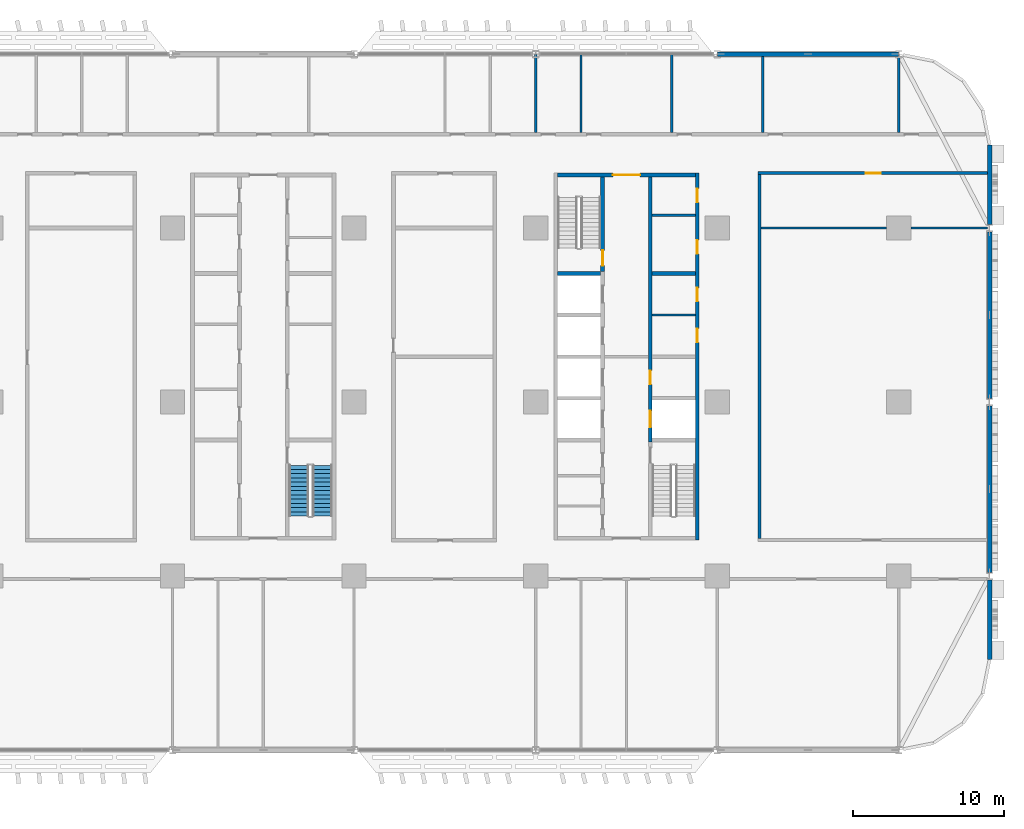
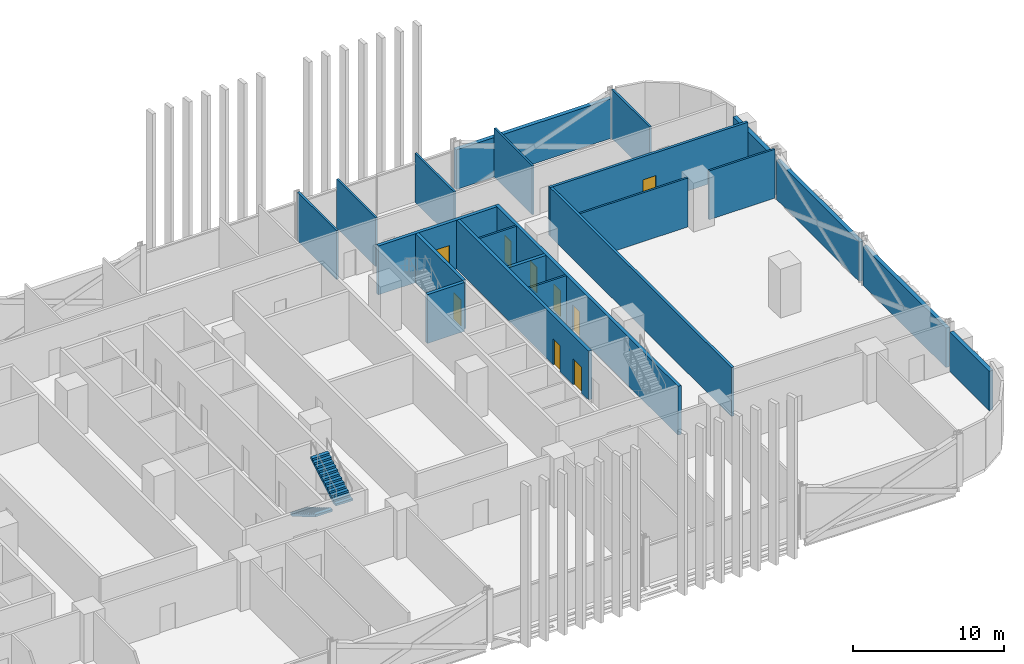
# One storey, part 15 of 29: 22 walls, 9 doors, 2 stair flights, 9 openings, 1 element without a shape of its own.
"""IFC4 building model written with IfcOpenShell, lengths in metres."""

import ifcopenshell
import ifcopenshell.guid

model = None  # the IFC model being written
_history = None  # IfcOwnerHistory: only IFC2X3 demands one
_inside = {}  # id of a spatial element -> (the spatial element, [elements in it])
_under = {}  # id of a project, library or spatial element -> (it, [spatial elements below it])
_declared = {}  # id of a project -> (the project, [libraries it declares])
_typed = {}  # id of a type object -> (the type object, [elements of that type])
_made_of = {}  # id of a material, layer set ... -> (it, [elements and type objects made of it])


def new_model(schema):
    """Start an empty IFC model of exactly this schema.

    Asked for "IFC4X3", IfcOpenShell would pick the latest addendum, in which some entities
    have other attributes; the version numbers below select the first issue.
    IFC2X3 requires an IfcOwnerHistory on every rooted entity: one is made here for all.
    """
    global model, _history
    if schema == "IFC4X3":
        model = ifcopenshell.file(schema_version=(4, 3, 0, 0))
    else:
        model = ifcopenshell.file(schema=schema)
    _inside.clear()
    _under.clear()
    _declared.clear()
    _typed.clear()
    _made_of.clear()
    _history = None
    if model.schema == "IFC2X3":
        org = make("IfcOrganization", Name="unknown")
        user = make(
            "IfcPersonAndOrganization",
            ThePerson=make("IfcPerson", FamilyName="unknown"),
            TheOrganization=org,
        )
        app = make(
            "IfcApplication",
            ApplicationDeveloper=org,
            Version="unknown",
            ApplicationFullName="unknown",
            ApplicationIdentifier="unknown",
        )
        _history = make(
            "IfcOwnerHistory",
            OwningUser=user,
            OwningApplication=app,
            ChangeAction="ADDED",
            CreationDate=0,
        )
    return model


def make(cls, **values):
    """One entity of the class cls with the attributes given. An attribute that is None is left unset."""
    return model.create_entity(
        cls, **{name: value for name, value in values.items() if value is not None}
    )


def rooted(cls, **values):
    """An entity with a GlobalId (a new one), such as an element, a storey or a relation."""
    return make(cls, GlobalId=ifcopenshell.guid.new(), OwnerHistory=_history, **values)


def si_unit(unit_type, name, prefix=None):
    """IfcSIUnit, for example si_unit("LENGTHUNIT", "METRE", prefix="MILLI")."""
    return make("IfcSIUnit", UnitType=unit_type, Prefix=prefix, Name=name)


def assignment(units):
    """IfcUnitAssignment: the units of a project."""
    return None if units is None else make("IfcUnitAssignment", Units=units)


def point(xyz):
    """IfcCartesianPoint."""
    return None if xyz is None else make("IfcCartesianPoint", Coordinates=xyz)


def direction(xyz):
    """IfcDirection."""
    return None if xyz is None else make("IfcDirection", DirectionRatios=xyz)


def frame(location, z_axis=None, x_axis=None):
    """IfcAxis2Placement3D, a coordinate frame: its origin and axes. An axis left out is left unset."""
    return make(
        "IfcAxis2Placement3D",
        Location=point(location),
        Axis=direction(z_axis),
        RefDirection=direction(x_axis),
    )


def frame_2d(location, x_axis=None):
    """IfcAxis2Placement2D, a coordinate frame in the plane: its origin and x axis."""
    return make(
        "IfcAxis2Placement2D", Location=point(location), RefDirection=direction(x_axis)
    )


def origin():
    """The frame at (0, 0, 0) with its axes left unset."""
    return frame((0.0, 0.0, 0.0))


def place(relative_to, where):
    """IfcLocalPlacement: puts the frame where relative to a parent placement (None: the world)."""
    return make(
        "IfcLocalPlacement", PlacementRelTo=relative_to, RelativePlacement=where
    )


def context(
    kind, dimensions, precision=None, world=None, true_north=None, identifier=None
):
    """IfcGeometricRepresentationContext, for example the 3D "Model" context."""
    return make(
        "IfcGeometricRepresentationContext",
        ContextIdentifier=identifier,
        ContextType=kind,
        CoordinateSpaceDimension=dimensions,
        Precision=precision,
        WorldCoordinateSystem=world,
        TrueNorth=true_north,
    )


def subcontext(parent, identifier, kind, view, scale=None):
    """IfcGeometricRepresentationSubContext, for example "Body" below "Model"."""
    return make(
        "IfcGeometricRepresentationSubContext",
        ContextIdentifier=identifier,
        ContextType=kind,
        ParentContext=parent,
        TargetScale=scale,
        TargetView=view,
    )


def project(units=None, contexts=None):
    """IfcProject with its units and contexts."""
    return rooted(
        "IfcProject",
        Name="project",
        RepresentationContexts=contexts,
        UnitsInContext=assignment(units),
    )


def spatial(cls, under=None, at=None, **own):
    """A site, building, storey or space (cls), placed at a placement, below another one or the project."""
    s = rooted(cls, ObjectPlacement=at, **own)
    if under is not None:
        _under.setdefault(under.id(), (under, []))[1].append(s)
    return s


def polyline(points):
    """IfcPolyline through the points."""
    return make("IfcPolyline", Points=[point(p) for p in points])


def profile(cls, at=None, kind="AREA", **sizes):
    """A parametric profile (cls). Its sizes go by their IFC names, for example OverallWidth=200.0."""
    return make(cls, ProfileType=kind, Position=at, **sizes)


def rectangle(**sizes):
    """IfcRectangleProfileDef."""
    return profile("IfcRectangleProfileDef", **sizes)


def outline(outer, holes=None, kind="AREA"):
    """IfcArbitraryClosedProfileDef: a profile drawn as a closed curve; with holes, ...WithVoids."""
    if holes is None:
        return make("IfcArbitraryClosedProfileDef", ProfileType=kind, OuterCurve=outer)
    return make(
        "IfcArbitraryProfileDefWithVoids",
        ProfileType=kind,
        OuterCurve=outer,
        InnerCurves=holes,
    )


def extrude(swept, where, along, depth):
    """IfcExtrudedAreaSolid: the profile swept, set in the frame where, extruded along a direction by depth."""
    return make(
        "IfcExtrudedAreaSolid",
        SweptArea=swept,
        Position=where,
        ExtrudedDirection=direction(along),
        Depth=depth,
    )


def shape(context_of_items, identifier, shape_type, items):
    """IfcShapeRepresentation: the items that make up one representation, for example the "Body"."""
    return make(
        "IfcShapeRepresentation",
        ContextOfItems=context_of_items,
        RepresentationIdentifier=identifier,
        RepresentationType=shape_type,
        Items=items,
    )


def material(Name=None, Category=None):
    """IfcMaterial."""
    return make("IfcMaterial", Name=Name, Category=Category)


def layer(
    of_material, thickness, ventilated=None, Name=None, Category=None, Priority=None
):
    """IfcMaterialLayer: one layer of a wall or slab, of a material (None: an air gap)."""
    return make(
        "IfcMaterialLayer",
        Material=of_material,
        LayerThickness=thickness,
        IsVentilated=ventilated,
        Name=Name,
        Category=Category,
        Priority=Priority,
    )


def layer_set(layers, Name=None):
    """IfcMaterialLayerSet."""
    return make("IfcMaterialLayerSet", MaterialLayers=layers, LayerSetName=Name)


def made_of(thing, what):
    """Note that an element or type object is made of a material, layer set ...; save() writes the relation."""
    if what is not None:
        _made_of.setdefault(what.id(), (what, []))[1].append(thing)
    return thing


def type_object(cls, material=None, **own):
    """A type object (cls), such as IfcWallType, which elements share."""
    return made_of(rooted(cls, **own), material)


def element(
    cls,
    number,
    at=None,
    inside=None,
    cuts=None,
    type_object=None,
    material=None,
    context=None,
    identifier="Body",
    shape_type=None,
    held_by="IfcProductDefinitionShape",
    body=None,
    shapes=None,
    **own,
):
    """One element of the class cls, such as IfcWall. Its Tag is "e" and its number.

    at: its placement. inside: the storey or other place that contains it. cuts: it is an
    opening in that element (IfcRelVoidsElement). A single representation is given by context,
    identifier, shape_type and body (its items); several are given by shapes. held_by: the class
    of the entity that holds the representations. save() writes the other relations.
    """
    e = rooted(cls, Tag="e%d" % number, ObjectPlacement=at, **own)
    if body is not None:
        shapes = [shape(context, identifier, shape_type, body)]
    if shapes is not None:
        e.Representation = make(held_by, Representations=shapes)
    if inside is not None:
        _inside.setdefault(inside.id(), (inside, []))[1].append(e)
    if cuts is not None:
        rooted(
            "IfcRelVoidsElement", RelatingBuildingElement=cuts, RelatedOpeningElement=e
        )
    if type_object is not None:
        _typed.setdefault(type_object.id(), (type_object, []))[1].append(e)
    return made_of(e, material)


def fill(opening, filler):
    """IfcRelFillsElement: the door or window that sits in an opening."""
    return rooted(
        "IfcRelFillsElement",
        RelatingOpeningElement=opening,
        RelatedBuildingElement=filler,
    )


def aggregate(whole, parts):
    """IfcRelAggregates: a whole, such as a stair, and the parts it consists of."""
    return rooted("IfcRelAggregates", RelatingObject=whole, RelatedObjects=parts)


def save(model, path):
    """Write the relations noted so far, then the file.

    IfcRelAggregates (storeys below a building ...), IfcRelContainedInSpatialStructure (elements
    in a storey), IfcRelDefinesByType, IfcRelAssociatesMaterial and IfcRelDeclares: one each for
    every whole, place, type object, material and project.
    """
    for whole, parts in _under.values():
        aggregate(whole, parts)
    for where, things in _inside.values():
        rooted(
            "IfcRelContainedInSpatialStructure",
            RelatedElements=things,
            RelatingStructure=where,
        )
    for kind, things in _typed.values():
        rooted("IfcRelDefinesByType", RelatedObjects=things, RelatingType=kind)
    for what, things in _made_of.values():
        rooted("IfcRelAssociatesMaterial", RelatedObjects=things, RelatingMaterial=what)
    for by, libraries in _declared.values():
        rooted("IfcRelDeclares", RelatingContext=by, RelatedDefinitions=libraries)
    model.write(path)


model = new_model("IFC4")

# Units and contexts
model_context = context("Model", 3, precision=1e-05, world=origin(), true_north=direction((0.0, 1.0)))
body_context = subcontext(model_context, "Body", "Model", "MODEL_VIEW")
ifc_project = project(units=[si_unit("LENGTHUNIT", "METRE"), si_unit("AREAUNIT", "SQUARE_METRE"), si_unit("VOLUMEUNIT", "CUBIC_METRE"), si_unit("PLANEANGLEUNIT", "RADIAN"), si_unit("MASSUNIT", "GRAM", prefix="KILO")], contexts=[model_context])

# Site, building, storey
site_placement = place(None, origin())
site = spatial("IfcSite", under=ifc_project, at=site_placement, CompositionType="ELEMENT")
building_placement = place(site_placement, origin())
building = spatial("IfcBuilding", under=site, at=building_placement, Name="Mahtab Terrace Research Tower", CompositionType="ELEMENT")
storey_placement = place(building_placement, frame((0.0, 0.0, 24.39990234375)))
storey = spatial("IfcBuildingStorey", under=building, at=storey_placement, Name="L05", CompositionType="ELEMENT", Elevation=24.39990234375)

# Walls
ifc_material_1 = material(Name="Gypsum board partition")
ifc_layer_1 = layer(ifc_material_1, 0.14990234375)
ifc_layer_set_1 = layer_set([ifc_layer_1], Name="Core partition 150")
wall_type_1 = type_object("IfcWallType", Name="Core partition 150", PredefinedType="PARTITIONING", material=ifc_layer_set_1)
for number, where, z_axis, x_axis, name in (
    (1, (25.699951171875, 5.75, 0.0), (0.0, 0.0, 1.0), (1.0, 0.0, 0.0), "Core wall C pEL275"),
    (2, (25.699951171875, 12.35498046875, 0.0), (0.0, 0.0, 1.0), (1.0, 0.0, 0.0), "Core wall C pEN936"),
):
    element("IfcWall", number, at=place(storey_placement, frame(where, z_axis=z_axis, x_axis=x_axis)), inside=storey, type_object=wall_type_1, Name=name, PredefinedType="PARTITIONING", context=body_context, shape_type="SweptSolid", body=[
        extrude(rectangle(XDim=2.85009765625, YDim=0.14990234375, at=frame_2d((1.425048828125, 0.0))), origin(), (0.0, 0.0, 1.0), 3.960205078125),
    ])

# Wall, openings, doors
ifc_material_2 = material(Name="Concrete C70/85", Category="concrete")
ifc_layer_2 = layer(ifc_material_2, 0.25)
ifc_layer_set_2 = layer_set([ifc_layer_2], Name="Core wall 250")
wall_type_2 = type_object("IfcWallType", Name="Core wall 250", PredefinedType="SOLIDWALL", material=ifc_layer_set_2)
wall_1_placement = place(storey_placement, frame((28.675048828125, -9.125, 0.0), z_axis=(0.0, 0.0, 1.0), x_axis=(0.0, 1.0, 0.0)))
wall_1 = element("IfcWall", 3, at=wall_1_placement, inside=storey, type_object=wall_type_2, Name="Core wall C outerE", PredefinedType="SOLIDWALL", context=body_context, shape_type="SweptSolid", body=[
    extrude(rectangle(XDim=24.25, YDim=0.25, at=frame_2d((12.125, 0.0))), origin(), (0.0, 0.0, 1.0), 3.960205078125),
])
opening_1_placement = place(wall_1_placement, frame((13.074951171875, 0.0, 0.0)))
opening_1 = element("IfcOpeningElement", 4, at=opening_1_placement, cuts=wall_1, Name="Opening C-R2", PredefinedType="OPENING", context=body_context, shape_type="SweptSolid", body=[
    extrude(rectangle(XDim=0.89990234375, YDim=2.10009765625, at=frame_2d((0.449951171875, 1.050048828125))), frame((0.0, 0.135009765625, 0.0), z_axis=(0.0, -1.0, 0.0), x_axis=(1.0, 0.0, 0.0)), (0.0, 0.0, 1.0), 0.27001953125),
])
opening_2_placement = place(wall_1_placement, frame((15.77490234375, 0.0, 0.0)))
opening_2 = element("IfcOpeningElement", 5, at=opening_2_placement, cuts=wall_1, Name="Opening C-R3", PredefinedType="OPENING", context=body_context, shape_type="SweptSolid", body=[
    extrude(rectangle(XDim=0.89990234375, YDim=2.10009765625, at=frame_2d((0.449951171875, 1.050048828125))), frame((0.0, 0.135009765625, 0.0), z_axis=(0.0, -1.0, 0.0), x_axis=(1.0, 0.0, 0.0)), (0.0, 0.0, 1.0), 0.27001953125),
])
opening_3_placement = place(wall_1_placement, frame((18.925048828125, 0.0, 0.0)))
opening_3 = element("IfcOpeningElement", 6, at=opening_3_placement, cuts=wall_1, Name="Opening C-R7", PredefinedType="OPENING", context=body_context, shape_type="SweptSolid", body=[
    extrude(rectangle(XDim=0.89990234375, YDim=2.10009765625, at=frame_2d((0.449951171875, 1.050048828125))), frame((0.0, 0.135009765625, 0.0), z_axis=(0.0, -1.0, 0.0), x_axis=(1.0, 0.0, 0.0)), (0.0, 0.0, 1.0), 0.27001953125),
])
opening_4_placement = place(wall_1_placement, frame((22.327392578125, 0.0, 0.0)))
opening_4 = element("IfcOpeningElement", 7, at=opening_4_placement, cuts=wall_1, Name="Opening C-R8", PredefinedType="OPENING", context=body_context, shape_type="SweptSolid", body=[
    extrude(rectangle(XDim=0.89990234375, YDim=2.10009765625, at=frame_2d((0.449951171875, 1.050048828125))), frame((0.0, 0.135009765625, 0.0), z_axis=(0.0, -1.0, 0.0), x_axis=(1.0, 0.0, 0.0)), (0.0, 0.0, 1.0), 0.27001953125),
])
ifc_material_3 = material(Name="Steel fire door", Category="steel")
door_type_1 = type_object("IfcDoorType", Name="Room door 900x2100 1 HR", OperationType="NOTDEFINED", PredefinedType="DOOR", material=ifc_material_3)
door_1_placement = place(opening_1_placement, origin())
door_1 = element("IfcDoor", 8, at=door_1_placement, inside=storey, type_object=door_type_1, Name="Document store door", OperationType="SINGLE_SWING_RIGHT", OverallHeight=2.10009765625, OverallWidth=0.89990234375, PredefinedType="DOOR", context=body_context, shape_type="SweptSolid", body=[
    extrude(rectangle(XDim=0.89990234375, YDim=2.10009765625, at=frame_2d((0.449951171875, 1.050048828125))), frame((0.0, 0.02490234375, 0.0), z_axis=(0.0, -1.0, 0.0), x_axis=(1.0, 0.0, 0.0)), (0.0, 0.0, 1.0), 0.050048828125),
])
fill(opening_1, door_1)
door_2_placement = place(opening_2_placement, origin())
door_2 = element("IfcDoor", 9, at=door_2_placement, inside=storey, type_object=door_type_1, Name="IT equipment room door", OperationType="SINGLE_SWING_LEFT", OverallHeight=2.10009765625, OverallWidth=0.89990234375, PredefinedType="DOOR", context=body_context, shape_type="SweptSolid", body=[
    extrude(rectangle(XDim=0.89990234375, YDim=2.10009765625, at=frame_2d((0.449951171875, 1.050048828125))), frame((0.0, 0.02490234375, 0.0), z_axis=(0.0, -1.0, 0.0), x_axis=(1.0, 0.0, 0.0)), (0.0, 0.0, 1.0), 0.050048828125),
])
fill(opening_2, door_2)
door_3_placement = place(opening_3_placement, origin())
door_3 = element("IfcDoor", 10, at=door_3_placement, inside=storey, type_object=door_type_1, Name="Pantry door", OperationType="SINGLE_SWING_LEFT", OverallHeight=2.10009765625, OverallWidth=0.89990234375, PredefinedType="DOOR", context=body_context, shape_type="SweptSolid", body=[
    extrude(rectangle(XDim=0.89990234375, YDim=2.10009765625, at=frame_2d((0.449951171875, 1.050048828125))), frame((0.0, 0.02490234375, 0.0), z_axis=(0.0, -1.0, 0.0), x_axis=(1.0, 0.0, 0.0)), (0.0, 0.0, 1.0), 0.050048828125),
])
fill(opening_3, door_3)
door_4_placement = place(opening_4_placement, origin())
door_4 = element("IfcDoor", 11, at=door_4_placement, inside=storey, type_object=door_type_1, Name="Linen store door", OperationType="SINGLE_SWING_RIGHT", OverallHeight=2.10009765625, OverallWidth=0.89990234375, PredefinedType="DOOR", context=body_context, shape_type="SweptSolid", body=[
    extrude(rectangle(XDim=0.89990234375, YDim=2.10009765625, at=frame_2d((0.449951171875, 1.050048828125))), frame((0.0, 0.02490234375, 0.0), z_axis=(0.0, -1.0, 0.0), x_axis=(1.0, 0.0, 0.0)), (0.0, 0.0, 1.0), 0.050048828125),
])
fill(opening_4, door_4)

# Wall, opening, door
wall_2_placement = place(storey_placement, frame((19.449951171875, 15.0, 0.0), z_axis=(0.0, 0.0, 1.0), x_axis=(1.0, 0.0, 0.0)))
wall_2 = element("IfcWall", 12, at=wall_2_placement, inside=storey, type_object=wall_type_2, Name="Core wall C endN", PredefinedType="SOLIDWALL", context=body_context, shape_type="SweptSolid", body=[
    extrude(rectangle(XDim=9.10009765625, YDim=0.25, at=frame_2d((4.550048828125, 0.0))), origin(), (0.0, 0.0, 1.0), 3.960205078125),
])
opening_5_placement = place(wall_2_placement, frame((3.64990234375, 0.0, 0.0)))
opening_5 = element("IfcOpeningElement", 13, at=opening_5_placement, cuts=wall_2, Name="Opening C-N1", PredefinedType="OPENING", context=body_context, shape_type="SweptSolid", body=[
    extrude(rectangle(XDim=1.800048828125, YDim=2.10009765625, at=frame_2d((0.89990234375, 1.050048828125))), frame((0.0, 0.135009765625, 0.0), z_axis=(0.0, -1.0, 0.0), x_axis=(1.0, 0.0, 0.0)), (0.0, 0.0, 1.0), 0.27001953125),
])
door_type_2 = type_object("IfcDoorType", Name="Lobby double door 1800x2100 1 HR", OperationType="DOUBLE_DOOR_SINGLE_SWING", PredefinedType="DOOR", material=ifc_material_3)
door_5_placement = place(opening_5_placement, origin())
door_5 = element("IfcDoor", 14, at=door_5_placement, inside=storey, type_object=door_type_2, Name="Core entrance door C N", OperationType="DOUBLE_DOOR_SINGLE_SWING", OverallHeight=2.10009765625, OverallWidth=1.800048828125, PredefinedType="DOOR", context=body_context, shape_type="SweptSolid", body=[
    extrude(rectangle(XDim=1.800048828125, YDim=2.10009765625, at=frame_2d((0.89990234375, 1.050048828125))), frame((0.0, 0.02490234375, 0.0), z_axis=(0.0, -1.0, 0.0), x_axis=(1.0, 0.0, 0.0)), (0.0, 0.0, 1.0), 0.050048828125),
])
fill(opening_5, door_5)

wall_3_placement = place(storey_placement, frame((22.425048828125, 14.875, 0.0), z_axis=(0.0, 0.0, 1.0), x_axis=(0.0, -1.0, 0.0)))
wall_3 = element("IfcWall", 15, at=wall_3_placement, inside=storey, type_object=wall_type_2, Name="Core wall C innerWN", PredefinedType="SOLIDWALL", context=body_context, shape_type="SweptSolid", body=[
    extrude(rectangle(XDim=6.25, YDim=0.25, at=frame_2d((3.125, 0.0))), origin(), (0.0, 0.0, 1.0), 3.960205078125),
])
opening_6_placement = place(wall_3_placement, frame((4.85009765625, 0.0, 0.0)))
opening_6 = element("IfcOpeningElement", 16, at=opening_6_placement, cuts=wall_3, Name="Opening C-ST3", PredefinedType="OPENING", context=body_context, shape_type="SweptSolid", body=[
    extrude(rectangle(XDim=1.0, YDim=2.10009765625, at=frame_2d((0.5, 1.050048828125))), frame((0.0, 0.135009765625, 0.0), z_axis=(0.0, -1.0, 0.0), x_axis=(1.0, 0.0, 0.0)), (0.0, 0.0, 1.0), 0.27001953125),
])
door_type_3 = type_object("IfcDoorType", Name="Stair door 1000x2100 1.5 HR", OperationType="NOTDEFINED", PredefinedType="DOOR", material=ifc_material_3)
door_6_placement = place(opening_6_placement, origin())
door_6 = element("IfcDoor", 17, at=door_6_placement, inside=storey, type_object=door_type_3, Name="Stair door ST3 L05", OperationType="SINGLE_SWING_LEFT", OverallHeight=2.10009765625, OverallWidth=1.0, PredefinedType="DOOR", context=body_context, shape_type="SweptSolid", body=[
    extrude(rectangle(XDim=1.0, YDim=2.10009765625, at=frame_2d((0.5, 1.050048828125))), frame((0.0, 0.02490234375, 0.0), z_axis=(0.0, -1.0, 0.0), x_axis=(1.0, 0.0, 0.0)), (0.0, 0.0, 1.0), 0.050048828125),
])
fill(opening_6, door_6)

# Wall, openings, doors
wall_4_placement = place(storey_placement, frame((25.574951171875, 14.875, 0.0), z_axis=(0.0, 0.0, 1.0), x_axis=(0.0, -1.0, 0.0)))
wall_4 = element("IfcWall", 18, at=wall_4_placement, inside=storey, type_object=wall_type_2, Name="Core wall C innerELN", PredefinedType="SOLIDWALL", context=body_context, shape_type="SweptSolid", body=[
    extrude(rectangle(XDim=17.5, YDim=0.25, at=frame_2d((8.75, 0.0))), origin(), (0.0, 0.0, 1.0), 3.960205078125),
])
opening_7_placement = place(wall_4_placement, frame((15.449951171875, 0.0, 0.0)))
opening_7 = element("IfcOpeningElement", 19, at=opening_7_placement, cuts=wall_4, Name="Opening LD21-L05", PredefinedType="OPENING", context=body_context, shape_type="SweptSolid", body=[
    extrude(rectangle(XDim=1.10009765625, YDim=2.10009765625, at=frame_2d((0.550048828125, 1.050048828125))), frame((0.0, 0.135009765625, 0.0), z_axis=(0.0, -1.0, 0.0), x_axis=(1.0, 0.0, 0.0)), (0.0, 0.0, 1.0), 0.27001953125),
])
opening_8_placement = place(wall_4_placement, frame((12.800048828125, 0.0, 0.0)))
opening_8 = element("IfcOpeningElement", 20, at=opening_8_placement, cuts=wall_4, Name="Opening C-R1", PredefinedType="OPENING", context=body_context, shape_type="SweptSolid", body=[
    extrude(rectangle(XDim=0.89990234375, YDim=2.10009765625, at=frame_2d((0.449951171875, 1.050048828125))), frame((0.0, 0.135009765625, 0.0), z_axis=(0.0, -1.0, 0.0), x_axis=(1.0, 0.0, 0.0)), (0.0, 0.0, 1.0), 0.27001953125),
])
ifc_material_4 = material(Name="Stainless steel AISI 304", Category="steel")
door_type_4 = type_object("IfcDoorType", Name="Landing door 1100x2100", OperationType="DOUBLE_DOOR_SLIDING", PredefinedType="DOOR", material=ifc_material_4)
door_7_placement = place(opening_7_placement, origin())
door_7 = element("IfcDoor", 21, at=door_7_placement, inside=storey, type_object=door_type_4, Name="Landing door SV3 L05", OperationType="DOUBLE_DOOR_SLIDING", OverallHeight=2.10009765625, OverallWidth=1.10009765625, PredefinedType="DOOR", context=body_context, shape_type="SweptSolid", body=[
    extrude(rectangle(XDim=1.10009765625, YDim=2.10009765625, at=frame_2d((0.550048828125, 1.050048828125))), frame((0.0, 0.02490234375, 0.0), z_axis=(0.0, -1.0, 0.0), x_axis=(1.0, 0.0, 0.0)), (0.0, 0.0, 1.0), 0.050048828125),
])
fill(opening_7, door_7)
door_8_placement = place(opening_8_placement, origin())
door_8 = element("IfcDoor", 22, at=door_8_placement, inside=storey, type_object=door_type_1, Name="Plant room door", OperationType="SINGLE_SWING_LEFT", OverallHeight=2.10009765625, OverallWidth=0.89990234375, PredefinedType="DOOR", context=body_context, shape_type="SweptSolid", body=[
    extrude(rectangle(XDim=0.89990234375, YDim=2.10009765625, at=frame_2d((0.449951171875, 1.050048828125))), frame((0.0, 0.02490234375, 0.0), z_axis=(0.0, -1.0, 0.0), x_axis=(1.0, 0.0, 0.0)), (0.0, 0.0, 1.0), 0.050048828125),
])
fill(opening_8, door_8)

# Walls
for number, where, z_axis, x_axis, name in (
    (23, (19.449951171875, 8.5, 0.0), (0.0, 0.0, 1.0), (1.0, 0.0, 0.0), "Core wall C divW4"),
    (24, (25.699951171875, 8.5, 0.0), (0.0, 0.0, 1.0), (1.0, 0.0, 0.0), "Core wall C divE4"),
):
    element("IfcWall", number, at=place(storey_placement, frame(where, z_axis=z_axis, x_axis=x_axis)), inside=storey, type_object=wall_type_2, Name=name, PredefinedType="SOLIDWALL", context=body_context, shape_type="SweptSolid", body=[
        extrude(rectangle(XDim=2.85009765625, YDim=0.25, at=frame_2d((1.425048828125, 0.0))), origin(), (0.0, 0.0, 1.0), 3.960205078125),
    ])
ifc_material_5 = material(Name="Black aluminium cladding panel", Category="aluminium")
ifc_layer_3 = layer(ifc_material_5, 0.300048828125)
ifc_layer_set_3 = layer_set([ifc_layer_3], Name="Opaque facade wall 300")
wall_type_3 = type_object("IfcWallType", Name="Opaque facade wall 300", PredefinedType="NOTDEFINED", material=ifc_layer_set_3)
wall_5_placement = place(storey_placement, frame((41.97216796875, 23.0, 0.0), z_axis=(0.0, 0.0, 1.0), x_axis=(-1.0, 0.0, 0.0)))
element("IfcWall", 25, at=wall_5_placement, inside=storey, type_object=wall_type_3, Name="Opaque facade wall L05 N3", PredefinedType="NOTDEFINED", context=body_context, shape_type="SweptSolid", body=[
    extrude(rectangle(XDim=11.9443359375, YDim=0.300048828125, at=frame_2d((5.97216796875, 0.0))), origin(), (0.0, 0.0, 1.0), 3.203125),
])
wall_6_placement = place(storey_placement, frame((48.0, -17.0, 0.0), z_axis=(0.0, 0.0, 1.0), x_axis=(0.0, 1.0, 0.0)))
element("IfcWall", 26, at=wall_6_placement, inside=storey, type_object=wall_type_3, Name="Opaque facade wall L05 E33", PredefinedType="NOTDEFINED", context=body_context, shape_type="SweptSolid", body=[
    extrude(rectangle(XDim=5.2509765625, YDim=0.300048828125, at=frame_2d((2.62548828125, 0.0))), origin(), (0.0, 0.0, 1.0), 3.203125),
])
for number, where, z_axis, x_axis, name in (
    (27, (48.0, -11.2509765625, 0.0), (0.0, 0.0, 1.0), (0.0, 1.0, 0.0), "Opaque facade wall L05 E34"),
    (28, (48.0, 0.2490234375, 0.0), (0.0, 0.0, 1.0), (0.0, 1.0, 0.0), "Opaque facade wall L05 E35"),
):
    element("IfcWall", number, at=place(storey_placement, frame(where, z_axis=z_axis, x_axis=x_axis)), inside=storey, type_object=wall_type_3, Name=name, PredefinedType="NOTDEFINED", context=body_context, shape_type="SweptSolid", body=[
        extrude(rectangle(XDim=11.001953125, YDim=0.300048828125, at=frame_2d((5.5009765625, 0.0))), origin(), (0.0, 0.0, 1.0), 3.203125),
    ])
wall_7_placement = place(storey_placement, frame((48.0, 11.7490234375, 0.0), z_axis=(0.0, 0.0, 1.0), x_axis=(0.0, 1.0, 0.0)))
element("IfcWall", 29, at=wall_7_placement, inside=storey, type_object=wall_type_3, Name="Opaque facade wall L05 E36", PredefinedType="NOTDEFINED", context=body_context, shape_type="SweptSolid", body=[
    extrude(rectangle(XDim=5.2509765625, YDim=0.300048828125, at=frame_2d((2.62548828125, 0.0))), origin(), (0.0, 0.0, 1.0), 3.203125),
])

# Wall, opening, door
ifc_material_6 = material(Name="Gypsum board corridor wall on steel studs", Category="steel")
ifc_layer_4 = layer(ifc_material_6, 0.199951171875)
ifc_layer_set_4 = layer_set([ifc_layer_4], Name="WALL CORRIDOR 200")
wall_type_4 = type_object("IfcWallType", Name="WALL CORRIDOR 200", PredefinedType="PARTITIONING", material=ifc_layer_set_4)
wall_8_placement = place(storey_placement, frame((32.699951171875, 15.125, 0.0), z_axis=(0.0, 0.0, 1.0), x_axis=(1.0, 0.0, 0.0)))
wall_8 = element("IfcWall", 30, at=wall_8_placement, inside=storey, type_object=wall_type_4, Name="L05-W025", PredefinedType="PARTITIONING", context=body_context, shape_type="SweptSolid", body=[
    extrude(rectangle(XDim=15.150146484375, YDim=0.199951171875, at=frame_2d((7.5751953125, 0.0))), origin(), (0.0, 0.0, 1.0), 3.960205078125),
])
opening_9_placement = place(wall_8_placement, frame((7.10009765625, 0.0, 0.0)))
opening_9 = element("IfcOpeningElement", 31, at=opening_9_placement, cuts=wall_8, Name="Opening L05-128", PredefinedType="OPENING", context=body_context, shape_type="SweptSolid", body=[
    extrude(rectangle(XDim=1.0, YDim=2.10009765625, at=frame_2d((0.5, 1.050048828125))), frame((0.0, 0.10986328125, 0.0), z_axis=(0.0, -1.0, 0.0), x_axis=(1.0, 0.0, 0.0)), (0.0, 0.0, 1.0), 0.219970703125),
])
ifc_material_7 = material(Name="Timber door leaf in steel frame", Category="steel")
door_type_5 = type_object("IfcDoorType", Name="DOOR 1000X2100 FD30S", OperationType="SINGLE_SWING_LEFT", PredefinedType="DOOR", material=ifc_material_7)
door_9_placement = place(opening_9_placement, origin())
door_9 = element("IfcDoor", 32, at=door_9_placement, inside=storey, type_object=door_type_5, Name="Door L05-128", OperationType="SINGLE_SWING_LEFT", OverallHeight=2.10009765625, OverallWidth=1.0, PredefinedType="DOOR", context=body_context, shape_type="SweptSolid", body=[
    extrude(rectangle(XDim=1.0, YDim=2.10009765625, at=frame_2d((0.5, 1.050048828125))), frame((0.0, 0.02490234375, 0.0), z_axis=(0.0, -1.0, 0.0), x_axis=(1.0, 0.0, 0.0)), (0.0, 0.0, 1.0), 0.050048828125),
])
fill(opening_9, door_9)

# Walls
wall_9_placement = place(storey_placement, frame((32.800048828125, -9.02490234375, 0.0), z_axis=(0.0, 0.0, 1.0), x_axis=(0.0, 1.0, 0.0)))
element("IfcWall", 33, at=wall_9_placement, inside=storey, type_object=wall_type_4, Name="L05-W062", PredefinedType="PARTITIONING", context=body_context, shape_type="SweptSolid", body=[
    extrude(rectangle(XDim=24.0498046875, YDim=0.199951171875, at=frame_2d((12.02490234375, 0.0))), origin(), (0.0, 0.0, 1.0), 3.960205078125),
])
ifc_material_8 = material(Name="Gypsum board partition on steel studs", Category="steel")
ifc_layer_5 = layer(ifc_material_8, 0.14990234375)
ifc_layer_set_5 = layer_set([ifc_layer_5], Name="WALL PARTITION 150")
wall_type_5 = type_object("IfcWallType", Name="WALL PARTITION 150", PredefinedType="PARTITIONING", material=ifc_layer_set_5)
wall_10_placement = place(storey_placement, frame((32.89990234375, 11.5, 0.0), z_axis=(0.0, 0.0, 1.0), x_axis=(1.0, 0.0, 0.0)))
element("IfcWall", 34, at=wall_10_placement, inside=storey, type_object=wall_type_5, Name="L05-W020", PredefinedType="PARTITIONING", context=body_context, shape_type="SweptSolid", body=[
    extrude(rectangle(XDim=8.300048828125, YDim=0.14990234375, at=frame_2d((4.14990234375, 0.0))), origin(), (0.0, 0.0, 1.0), 3.960205078125),
])
wall_11_placement = place(storey_placement, frame((42.800048828125, 11.5, 0.0), z_axis=(0.0, 0.0, 1.0), x_axis=(1.0, 0.0, 0.0)))
element("IfcWall", 35, at=wall_11_placement, inside=storey, type_object=wall_type_5, Name="L05-W021", PredefinedType="PARTITIONING", context=body_context, shape_type="SweptSolid", body=[
    extrude(rectangle(XDim=5.050048828125, YDim=0.14990234375, at=frame_2d((2.52490234375, 0.0))), origin(), (0.0, 0.0, 1.0), 3.960205078125),
])
for number, where, z_axis, x_axis, name in (
    (36, (18.0, 17.800048828125, 0.0), (0.0, 0.0, 1.0), (0.0, 1.0, 0.0), "L05-W056"),
    (37, (21.0, 17.800048828125, 0.0), (0.0, 0.0, 1.0), (0.0, 1.0, 0.0), "L05-W058"),
    (38, (27.0, 17.800048828125, 0.0), (0.0, 0.0, 1.0), (0.0, 1.0, 0.0), "L05-W060"),
):
    element("IfcWall", number, at=place(storey_placement, frame(where, z_axis=z_axis, x_axis=x_axis)), inside=storey, type_object=wall_type_5, Name=name, PredefinedType="PARTITIONING", context=body_context, shape_type="SweptSolid", body=[
        extrude(rectangle(XDim=5.175048828125, YDim=0.14990234375, at=frame_2d((2.58740234375, 0.0))), origin(), (0.0, 0.0, 1.0), 3.960205078125),
    ])
wall_12_placement = place(storey_placement, frame((33.0, 17.800048828125, 0.0), z_axis=(0.0, 0.0, 1.0), x_axis=(0.0, 1.0, 0.0)))
element("IfcWall", 39, at=wall_12_placement, inside=storey, type_object=wall_type_5, Name="L05-W063", PredefinedType="PARTITIONING", context=body_context, shape_type="SweptSolid", body=[
    extrude(rectangle(XDim=5.050048828125, YDim=0.14990234375, at=frame_2d((2.52490234375, 0.0))), origin(), (0.0, 0.0, 1.0), 3.960205078125),
])
wall_13_placement = place(storey_placement, frame((42.0, 17.800048828125, 0.0), z_axis=(0.0, 0.0, 1.0), x_axis=(0.0, 1.0, 0.0)))
element("IfcWall", 40, at=wall_13_placement, inside=storey, type_object=wall_type_5, Name="L05-W065", PredefinedType="PARTITIONING", context=body_context, shape_type="SweptSolid", body=[
    extrude(rectangle(XDim=5.047119140625, YDim=0.14990234375, at=frame_2d((2.5234375, 0.0))), origin(), (0.0, 0.0, 1.0), 3.960205078125),
])

# Stair, stair flights
ifc_material_9 = material(Name="Exit stair half-turn")
stair_type = type_object("IfcStairType", Name="Exit stair half-turn", PredefinedType="HALF_TURN_STAIR", material=ifc_material_9)
stair_placement = place(storey_placement, origin())
stair = element("IfcStair", 41, at=stair_placement, inside=storey, type_object=stair_type, Name="L05 Protected exit stair ST2", PredefinedType="HALF_TURN_STAIR")
ifc_material_10 = material(Name="Concrete C40/50", Category="concrete")
stair_flight_type = type_object("IfcStairFlightType", Name="Exit stair flight 1300", PredefinedType="STRAIGHT", material=ifc_material_10)
stair_flight_1_placement = place(storey_placement, frame((2.35009765625, -4.175048828125, 0.0), z_axis=(0.0, 0.0, 1.0), x_axis=(0.0, -1.0, 0.0)))
stair_flight_1 = element("IfcStairFlight", 42, at=stair_flight_1_placement, type_object=stair_flight_type, Name="ST2 flight 1", NumberOfRisers=13, NumberOfTreads=12, PredefinedType="STRAIGHT", RiserHeight=0.165384615, TreadLength=0.28, context=body_context, shape_type="SweptSolid", body=[
    extrude(outline(polyline([(0.0, 0.0), (0.0, 0.165283203125), (0.280029296875, 0.165283203125), (0.280029296875, 0.330810546875), (0.56005859375, 0.330810546875), (0.56005859375, 0.49609375), (0.840087890625, 0.49609375), (0.840087890625, 0.66162109375), (1.1201171875, 0.66162109375), (1.1201171875, 0.826904296875), (1.39990234375, 0.826904296875), (1.39990234375, 0.9921875), (1.679931640625, 0.9921875), (1.679931640625, 1.15771484375), (1.9599609375, 1.15771484375), (1.9599609375, 1.322998046875), (2.239990234375, 1.322998046875), (2.239990234375, 1.488525390625), (2.52001953125, 1.488525390625), (2.52001953125, 1.65380859375), (2.800048828125, 1.65380859375), (2.800048828125, 1.8193359375), (3.080078125, 1.8193359375), (3.080078125, 1.984619140625), (3.360107421875, 1.984619140625), (3.360107421875, 2.14990234375), (3.360107421875, 1.810546875), (0.294677734375, 0.0), (0.0, 0.0)])), frame((0.0, 0.64990234375, 0.0), z_axis=(0.0, -1.0, 0.0), x_axis=(1.0, 0.0, 0.0)), (0.0, 0.0, 1.0), 1.300048828125),
])
stair_flight_2_placement = place(storey_placement, frame((3.89990234375, -7.534912109375, 2.150146484375), z_axis=(0.0, 0.0, 1.0), x_axis=(0.0, 1.0, 0.0)))
stair_flight_2 = element("IfcStairFlight", 43, at=stair_flight_2_placement, type_object=stair_flight_type, Name="ST2 flight 2", NumberOfRisers=13, NumberOfTreads=12, PredefinedType="STRAIGHT", RiserHeight=0.165384615, TreadLength=0.28, context=body_context, shape_type="SweptSolid", body=[
    extrude(outline(polyline([(0.0, 0.0), (0.0, 0.165283203125), (0.280029296875, 0.165283203125), (0.280029296875, 0.330810546875), (0.56005859375, 0.330810546875), (0.56005859375, 0.49609375), (0.840087890625, 0.49609375), (0.840087890625, 0.66162109375), (1.1201171875, 0.66162109375), (1.1201171875, 0.826904296875), (1.39990234375, 0.826904296875), (1.39990234375, 0.9921875), (1.679931640625, 0.9921875), (1.679931640625, 1.15771484375), (1.9599609375, 1.15771484375), (1.9599609375, 1.322998046875), (2.239990234375, 1.322998046875), (2.239990234375, 1.488525390625), (2.52001953125, 1.488525390625), (2.52001953125, 1.65380859375), (2.800048828125, 1.65380859375), (2.800048828125, 1.8193359375), (3.080078125, 1.8193359375), (3.080078125, 1.984619140625), (3.360107421875, 1.984619140625), (3.360107421875, 2.14990234375), (3.360107421875, 1.810546875), (0.294677734375, 0.0), (0.0, 0.0)])), frame((0.0, 0.64990234375, 0.0), z_axis=(0.0, -1.0, 0.0), x_axis=(1.0, 0.0, 0.0)), (0.0, 0.0, 1.0), 1.300048828125),
])
aggregate(stair, [stair_flight_1, stair_flight_2])

save(model, "model.ifc")
